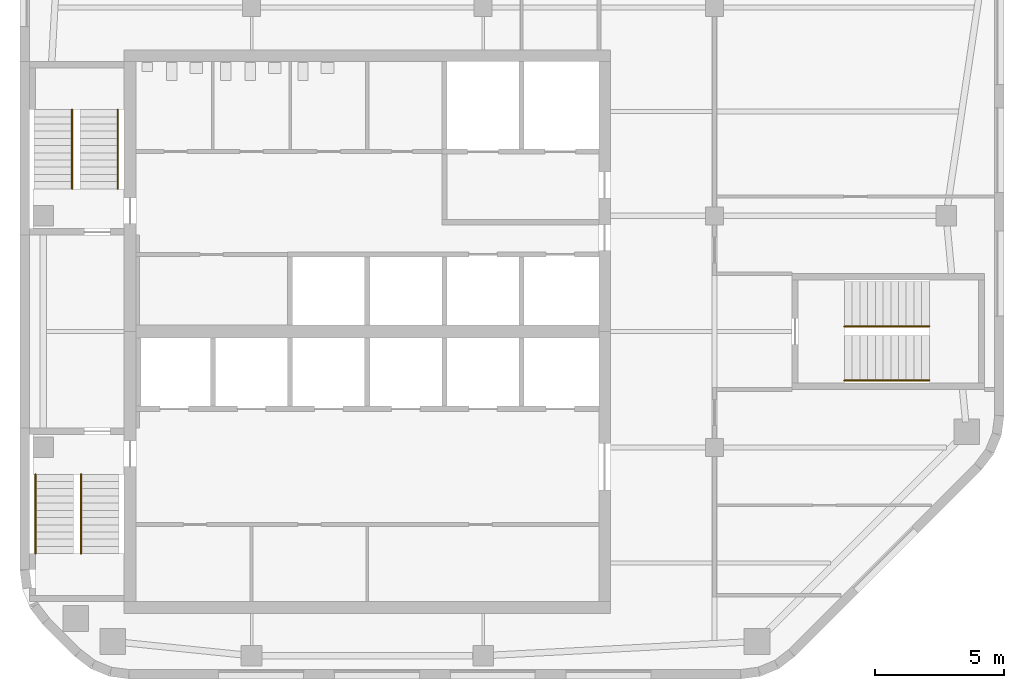
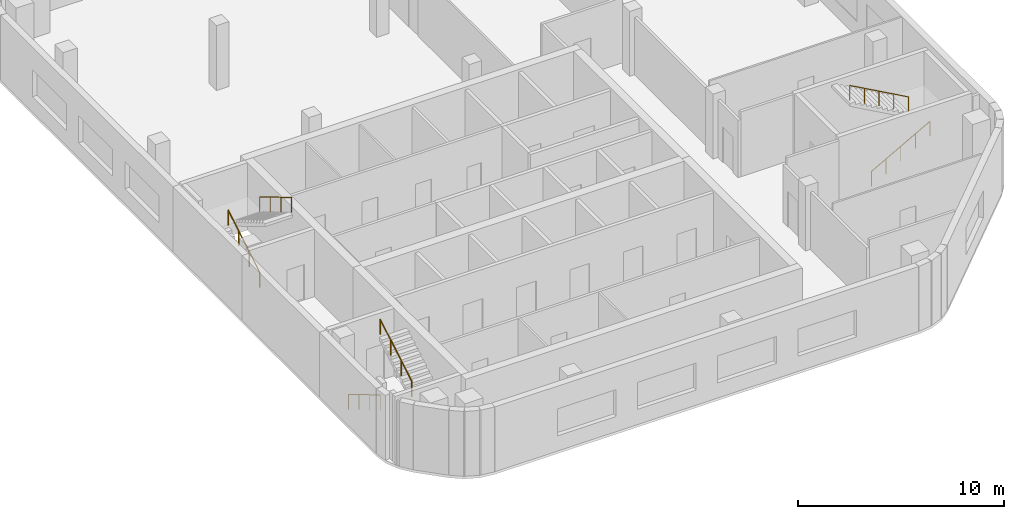
# One storey, part 6 of 7: 6 railings, 3 elements without a shape of their own.
"""IFC4 building model written with IfcOpenShell, lengths in metres."""

from ifc_helpers import new_model, si_unit, direction, frame, origin, origin_2d, place, context, subcontext, project, spatial, circle, extrude, material, type_object, element, aggregate, save


model = new_model("IFC4")

# Units and contexts
model_context = context("Model", 3, precision=1e-05, world=origin(), true_north=direction((0.0, 1.0)))
body_context = subcontext(model_context, "Body", "Model", "MODEL_VIEW")
ifc_project = project(units=[si_unit("LENGTHUNIT", "METRE"), si_unit("AREAUNIT", "SQUARE_METRE"), si_unit("VOLUMEUNIT", "CUBIC_METRE"), si_unit("PLANEANGLEUNIT", "RADIAN"), si_unit("MASSUNIT", "GRAM", prefix="KILO")], contexts=[model_context])

# Site, building, storey
site_placement = place(None, origin())
site = spatial("IfcSite", under=ifc_project, at=site_placement, CompositionType="ELEMENT")
building_placement = place(site_placement, origin())
building = spatial("IfcBuilding", under=site, at=building_placement, Name="Cinnabar Reach Civic Tower", CompositionType="ELEMENT")
storey_placement = place(building_placement, frame((0.0, 0.0, 255.0)))
storey = spatial("IfcBuildingStorey", under=building, at=storey_placement, Name="L61", CompositionType="ELEMENT", Elevation=255.0)

# Stair, railings
ifc_material_1 = material(Name="Concrete C40/50", Category="concrete")
stair_type = type_object("IfcStairType", Name="T1 Exit stair, half-turn", PredefinedType="HALF_TURN_STAIR", material=ifc_material_1)
stair_1_placement = place(storey_placement, origin())
stair_1 = element("IfcStair", 1, at=stair_1_placement, inside=storey, type_object=stair_type, Name="Stair T1-S1", PredefinedType="HALF_TURN_STAIR")
ifc_material_2 = material(Name="Stainless steel tube", Category="steel")
railing_type = type_object("IfcRailingType", Name="T1 Stair handrail, stainless tube 48", PredefinedType="HANDRAIL", material=ifc_material_2)
railing_1_placement = place(storey_placement, frame((0.6, 25.95, 0.1667)))
railing_1 = element("IfcRailing", 2, at=railing_1_placement, type_object=railing_type, Name="T1-S1 handrail 1", PredefinedType="HANDRAIL", context=body_context, shape_type="SweptSolid", body=[
    extrude(circle(Radius=0.024, at=origin_2d()), frame((0.0, 0.0, 0.876), z_axis=(0.0, -0.859296971757, 0.511476992962), x_axis=(1.0, 0.0, 0.0)), (0.0, 0.0, 1.0), 3.5843),
    extrude(circle(Radius=0.021, at=origin_2d()), origin(), (0.0, 0.0, 1.0), 0.852),
    extrude(circle(Radius=0.021, at=origin_2d()), frame((0.0, -1.0267, 0.6111)), (0.0, 0.0, 1.0), 0.852),
    extrude(circle(Radius=0.021, at=origin_2d()), frame((0.0, -2.0533, 1.2222)), (0.0, 0.0, 1.0), 0.852),
    extrude(circle(Radius=0.021, at=origin_2d()), frame((0.0, -3.08, 1.8333)), (0.0, 0.0, 1.0), 0.852),
])
railing_2_placement = place(storey_placement, frame((2.375, 22.87, 2.1667)))
railing_2 = element("IfcRailing", 3, at=railing_2_placement, type_object=railing_type, Name="T1-S1 handrail 2", PredefinedType="HANDRAIL", context=body_context, shape_type="SweptSolid", body=[
    extrude(circle(Radius=0.024, at=origin_2d()), frame((0.0, 0.0, 0.876), z_axis=(0.0, 0.859296971757, 0.511476992962), x_axis=(-1.0, 0.0, 0.0)), (0.0, 0.0, 1.0), 3.5843),
    extrude(circle(Radius=0.021, at=origin_2d()), origin(), (0.0, 0.0, 1.0), 0.852),
    extrude(circle(Radius=0.021, at=origin_2d()), frame((0.0, 1.0267, 0.6111)), (0.0, 0.0, 1.0), 0.852),
    extrude(circle(Radius=0.021, at=origin_2d()), frame((0.0, 2.0533, 1.2222)), (0.0, 0.0, 1.0), 0.852),
    extrude(circle(Radius=0.021, at=origin_2d()), frame((0.0, 3.08, 1.8333)), (0.0, 0.0, 1.0), 0.852),
])
aggregate(stair_1, [railing_1, railing_2])

stair_2_placement = place(storey_placement, origin())
stair_2 = element("IfcStair", 4, at=stair_2_placement, inside=storey, type_object=stair_type, Name="Stair T1-S2", PredefinedType="HALF_TURN_STAIR")
railing_3_placement = place(storey_placement, frame((2.025, 37.05, 0.1667)))
railing_3 = element("IfcRailing", 5, at=railing_3_placement, type_object=railing_type, Name="T1-S2 handrail 1", PredefinedType="HANDRAIL", context=body_context, shape_type="SweptSolid", body=[
    extrude(circle(Radius=0.024, at=origin_2d()), frame((0.0, 0.0, 0.876), z_axis=(0.0, 0.859296971757, 0.511476992962), x_axis=(-1.0, 0.0, 0.0)), (0.0, 0.0, 1.0), 3.5843),
    extrude(circle(Radius=0.021, at=origin_2d()), origin(), (0.0, 0.0, 1.0), 0.852),
    extrude(circle(Radius=0.021, at=origin_2d()), frame((0.0, 1.0267, 0.6111)), (0.0, 0.0, 1.0), 0.852),
    extrude(circle(Radius=0.021, at=origin_2d()), frame((0.0, 2.0533, 1.2222)), (0.0, 0.0, 1.0), 0.852),
    extrude(circle(Radius=0.021, at=origin_2d()), frame((0.0, 3.08, 1.8333)), (0.0, 0.0, 1.0), 0.852),
])
railing_4_placement = place(storey_placement, frame((3.8, 40.13, 2.1667)))
railing_4 = element("IfcRailing", 6, at=railing_4_placement, type_object=railing_type, Name="T1-S2 handrail 2", PredefinedType="HANDRAIL", context=body_context, shape_type="SweptSolid", body=[
    extrude(circle(Radius=0.024, at=origin_2d()), frame((0.0, 0.0, 0.876), z_axis=(0.0, -0.859296971757, 0.511476992962), x_axis=(1.0, 0.0, 0.0)), (0.0, 0.0, 1.0), 3.5843),
    extrude(circle(Radius=0.021, at=origin_2d()), origin(), (0.0, 0.0, 1.0), 0.852),
    extrude(circle(Radius=0.021, at=origin_2d()), frame((0.0, -1.0267, 0.6111)), (0.0, 0.0, 1.0), 0.852),
    extrude(circle(Radius=0.021, at=origin_2d()), frame((0.0, -2.0533, 1.2222)), (0.0, 0.0, 1.0), 0.852),
    extrude(circle(Radius=0.021, at=origin_2d()), frame((0.0, -3.08, 1.8333)), (0.0, 0.0, 1.0), 0.852),
])
aggregate(stair_2, [railing_3, railing_4])

stair_3_placement = place(storey_placement, origin())
stair_3 = element("IfcStair", 7, at=stair_3_placement, inside=storey, type_object=stair_type, Name="Stair T1-S3", PredefinedType="HALF_TURN_STAIR")
railing_5_placement = place(storey_placement, frame((32.05, 29.6, 0.1667)))
railing_5 = element("IfcRailing", 8, at=railing_5_placement, type_object=railing_type, Name="T1-S3 handrail 1", PredefinedType="HANDRAIL", context=body_context, shape_type="SweptSolid", body=[
    extrude(circle(Radius=0.024, at=origin_2d()), frame((0.0, 0.0, 0.876), z_axis=(0.874161024642, 0.0, 0.485636183781), x_axis=(0.0, 1.0, 0.0)), (0.0, 0.0, 1.0), 3.775),
    extrude(circle(Radius=0.021, at=origin_2d()), origin(), (0.0, 0.0, 1.0), 0.852),
    extrude(circle(Radius=0.021, at=origin_2d()), frame((0.825, 0.0, 0.4583)), (0.0, 0.0, 1.0), 0.852),
    extrude(circle(Radius=0.021, at=origin_2d()), frame((1.65, 0.0, 0.9167)), (0.0, 0.0, 1.0), 0.852),
    extrude(circle(Radius=0.021, at=origin_2d()), frame((2.475, 0.0, 1.375)), (0.0, 0.0, 1.0), 0.852),
    extrude(circle(Radius=0.021, at=origin_2d()), frame((3.3, 0.0, 1.8333)), (0.0, 0.0, 1.0), 0.852),
])
railing_6_placement = place(storey_placement, frame((35.35, 31.7, 2.1667)))
railing_6 = element("IfcRailing", 9, at=railing_6_placement, type_object=railing_type, Name="T1-S3 handrail 2", PredefinedType="HANDRAIL", context=body_context, shape_type="SweptSolid", body=[
    extrude(circle(Radius=0.024, at=origin_2d()), frame((0.0, 0.0, 0.876), z_axis=(-0.874161024642, 0.0, 0.485636183781), x_axis=(0.0, -1.0, 0.0)), (0.0, 0.0, 1.0), 3.775),
    extrude(circle(Radius=0.021, at=origin_2d()), origin(), (0.0, 0.0, 1.0), 0.852),
    extrude(circle(Radius=0.021, at=origin_2d()), frame((-0.825, 0.0, 0.4583)), (0.0, 0.0, 1.0), 0.852),
    extrude(circle(Radius=0.021, at=origin_2d()), frame((-1.65, 0.0, 0.9167)), (0.0, 0.0, 1.0), 0.852),
    extrude(circle(Radius=0.021, at=origin_2d()), frame((-2.475, 0.0, 1.375)), (0.0, 0.0, 1.0), 0.852),
    extrude(circle(Radius=0.021, at=origin_2d()), frame((-3.3, 0.0, 1.8333)), (0.0, 0.0, 1.0), 0.852),
])
aggregate(stair_3, [railing_5, railing_6])

save(model, "model.ifc")
